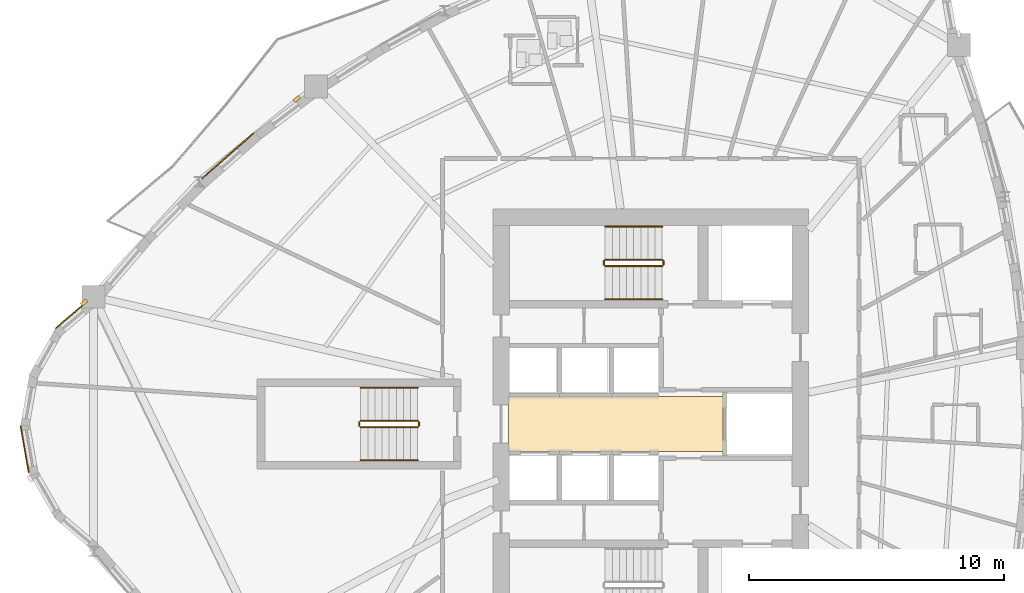
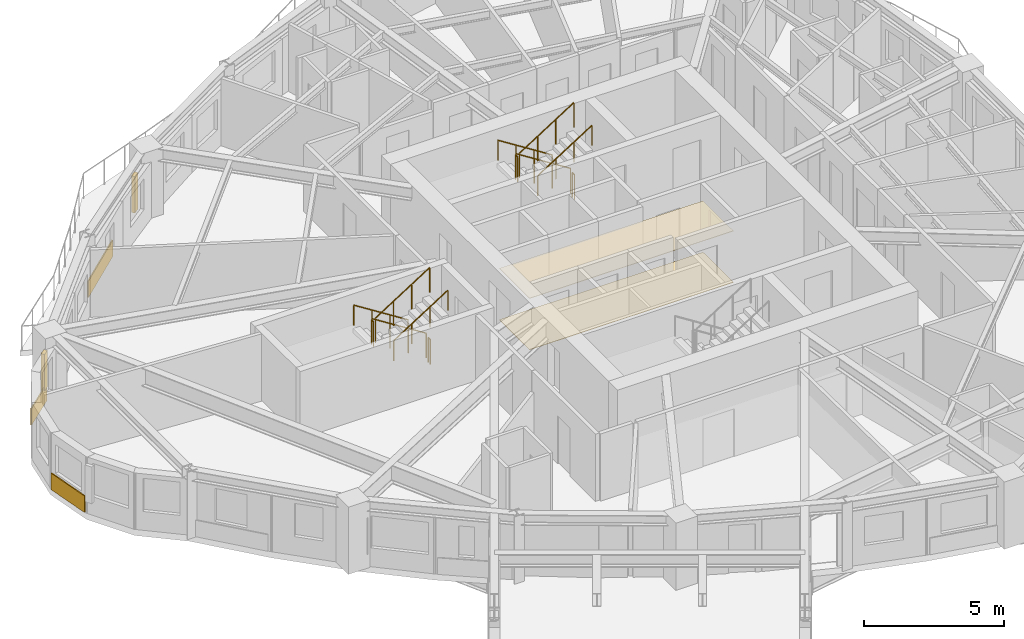
# One storey, part 15 of 17: 12 railings, 5 coverings, 2 shading devices.
"""IFC4 building model written with IfcOpenShell, lengths in metres."""

from ifc_helpers import new_model, si_unit, direction, frame, origin, origin_2d, place, context, subcontext, project, spatial, polyline, rectangle, circle, outline, extrude, source, transform, mapped, material, layer, layer_set, type_object, element, save


model = new_model("IFC4")

# Units and contexts
model_context = context("Model", 3, precision=1e-05, world=origin(), true_north=direction((0.0, 1.0)))
body_context = subcontext(model_context, "Body", "Model", "MODEL_VIEW")
ifc_project = project(units=[si_unit("LENGTHUNIT", "METRE"), si_unit("AREAUNIT", "SQUARE_METRE"), si_unit("VOLUMEUNIT", "CUBIC_METRE"), si_unit("PLANEANGLEUNIT", "RADIAN"), si_unit("MASSUNIT", "GRAM", prefix="KILO")], contexts=[model_context])

# Site, building, storey
site_placement = place(None, origin())
site = spatial("IfcSite", under=ifc_project, at=site_placement, CompositionType="ELEMENT")
building_placement = place(site_placement, origin())
building = spatial("IfcBuilding", under=site, at=building_placement, Name="Qafzar Sky-Pleat Residences", CompositionType="ELEMENT")
storey_placement = place(building_placement, frame((0.0, 0.0, 108.800048828125)))
storey = spatial("IfcBuildingStorey", under=building, at=storey_placement, Name="L32", CompositionType="ELEMENT", Elevation=108.800048828125)

# Coverings
ifc_material_1 = material(Name="Perforated acoustic gypsum board ceiling")
ifc_layer_1 = layer(ifc_material_1, 0.02001953125)
ifc_layer_set_1 = layer_set([ifc_layer_1], Name="Perforated acoustic gypsum board ceiling")
covering_type_1 = type_object("IfcCoveringType", Name="COV-CEIL-ACOUSTIC", PredefinedType="CEILING", material=ifc_layer_set_1)
covering_1_placement = place(storey_placement, frame((0.0, 0.0, 2.239990234375)))
element("IfcCovering", 1, at=covering_1_placement, inside=storey, type_object=covering_type_1, Name="L32 Passenger Lift Lobby Acoustic Ceiling", PredefinedType="CEILING", context=body_context, shape_type="SweptSolid", body=[
    extrude(outline(polyline([(33.179931640625, 24.919921875), (24.77001953125, 24.919921875), (24.77001953125, 27.080078125), (33.179931640625, 27.080078125), (33.179931640625, 24.919921875)])), origin(), (0.0, 0.0, 1.0), 0.02001953125),
])
ifc_material_2 = material(Name="Honed porcelain and Riyadh stone tile flooring", Category="masonry")
ifc_layer_2 = layer(ifc_material_2, 0.02001953125)
ifc_layer_set_2 = layer_set([ifc_layer_2], Name="Honed porcelain and Riyadh stone tile flooring")
covering_type_2 = type_object("IfcCoveringType", Name="COV-FLR-PORCELAIN", PredefinedType="FLOORING", material=ifc_layer_set_2)
covering_2_placement = place(storey_placement, origin())
element("IfcCovering", 2, at=covering_2_placement, inside=storey, type_object=covering_type_2, Name="L32 Passenger Lift Lobby Honed Stone Flooring", PredefinedType="FLOORING", context=body_context, shape_type="SweptSolid", body=[
    extrude(outline(polyline([(33.179931640625, 24.919921875), (24.77001953125, 24.919921875), (24.77001953125, 27.080078125), (33.179931640625, 27.080078125), (33.179931640625, 24.919921875)])), origin(), (0.0, 0.0, 1.0), 0.02001953125),
])

# Shading devices
ifc_material_3 = material(Name="Honed Riyadh limestone solar fin", Category="masonry")
ifc_layer_3 = layer(ifc_material_3, 0.139892578125)
ifc_layer_set_3 = layer_set([ifc_layer_3], Name="Honed Riyadh limestone solar fin")
shading_device_type = type_object("IfcShadingDeviceType", Name="SHD-FIN-STONE", PredefinedType="SHUTTER", material=ifc_layer_set_3)
shared_shape_1 = source(origin(), body_context, "Body", "SweptSolid", [
    extrude(rectangle(XDim=0.139892578125, YDim=0.280029296875, at=origin_2d()), origin(), (0.0, 0.0, 1.0), 1.60009765625),
])
for number, where, z_axis, x_axis, name in (
    (3, (8.1103515625, 30.771728515625, 0.599853515625), (0.0, 0.0, 1.0), (-0.648602943999, 0.761126941473, 0.0), "L32 Limestone Solar Fin 1"),
    (4, (16.45361328125, 38.758544921875, 0.599853515625), (0.0, 0.0, 1.0), (-0.60217974117, 0.798360544694, 0.0), "L32 Limestone Solar Fin 45"),
):
    element("IfcShadingDevice", number, at=place(storey_placement, frame(where, z_axis=z_axis, x_axis=x_axis)), inside=storey, type_object=shading_device_type, Name=name, PredefinedType="SHUTTER", context=body_context, shape_type="MappedRepresentation", body=[
        mapped(shared_shape_1, transform((0.0, 0.0, 0.0), x_axis=(1.0, 0.0, 0.0), y_axis=(0.0, 1.0, 0.0), z_axis=(0.0, 0.0, 1.0), scale=1.0)),
    ])

# Coverings
ifc_material_4 = material(Name="Honed Riyadh Tuwaiq limestone cladding", Category="masonry")
ifc_layer_4 = layer(ifc_material_4, 0.044921875)
ifc_layer_set_4 = layer_set([ifc_layer_4], Name="Honed Riyadh Tuwaiq limestone cladding")
covering_type_3 = type_object("IfcCoveringType", Name="COV-CLAD-STONE", PredefinedType="CLADDING", material=ifc_layer_set_4)
shared_shape_2 = source(origin(), body_context, "Body", "SweptSolid", [
    extrude(rectangle(XDim=1.62451171875, YDim=0.044921875, at=origin_2d()), origin(), (0.0, 0.0, 1.0), 0.719970703125),
])
covering_3_placement = place(storey_placement, frame((7.597900390625, 30.278564453125, 0.02001953125), z_axis=(0.0, 0.0, 1.0), x_axis=(-0.761154082005, -0.648571093595, 0.0)))
element("IfcCovering", 5, at=covering_3_placement, inside=storey, type_object=covering_type_3, Name="L32 Riyadh Limestone Spandrel Cladding 1", PredefinedType="CLADDING", context=body_context, shape_type="MappedRepresentation", body=[
    mapped(shared_shape_2, transform((0.0, 0.0, 0.0), x_axis=(1.0, 0.0, 0.0), y_axis=(0.0, 1.0, 0.0), z_axis=(0.0, 0.0, 1.0), scale=1.0)),
])
shared_shape_3 = source(origin(), body_context, "Body", "SweptSolid", [
    extrude(rectangle(XDim=1.865478515625, YDim=0.044921875, at=origin_2d()), origin(), (0.0, 0.0, 1.0), 0.719970703125),
])
covering_4_placement = place(storey_placement, frame((5.77001953125, 25.0126953125, 0.02001953125), z_axis=(0.0, 0.0, 1.0), x_axis=(0.172122886012, -0.985075485489, 0.0)))
element("IfcCovering", 6, at=covering_4_placement, inside=storey, type_object=covering_type_3, Name="L32 Riyadh Limestone Spandrel Cladding 4", PredefinedType="CLADDING", context=body_context, shape_type="MappedRepresentation", body=[
    mapped(shared_shape_3, transform((0.0, 0.0, 0.0), x_axis=(1.0, 0.0, 0.0), y_axis=(0.0, 1.0, 0.0), z_axis=(0.0, 0.0, 1.0), scale=1.0)),
])
shared_shape_4 = source(origin(), body_context, "Body", "SweptSolid", [
    extrude(rectangle(XDim=2.699462890625, YDim=0.044921875, at=origin_2d()), origin(), (0.0, 0.0, 1.0), 0.719970703125),
])
covering_5_placement = place(storey_placement, frame((13.7431640625, 36.5244140625, 0.02001953125), z_axis=(0.0, 0.0, 1.0), x_axis=(-0.751462399385, -0.659775918256, 0.0)))
element("IfcCovering", 7, at=covering_5_placement, inside=storey, type_object=covering_type_3, Name="L32 Riyadh Limestone Spandrel Cladding 46", PredefinedType="CLADDING", context=body_context, shape_type="MappedRepresentation", body=[
    mapped(shared_shape_4, transform((0.0, 0.0, 0.0), x_axis=(1.0, 0.0, 0.0), y_axis=(0.0, 1.0, 0.0), z_axis=(0.0, 0.0, 1.0), scale=1.0)),
])

# Railings
ifc_material_5 = material(Name="Painted Steel S355 stair guardrail", Category="steel")
railing_type_1 = type_object("IfcRailingType", Name="RAIL-STAIR-GUARD", PredefinedType="GUARDRAIL", material=ifc_material_5)
shared_shape_5 = source(origin(), body_context, "Body", "SweptSolid", [
    extrude(circle(Radius=0.02392578125, at=origin_2d()), frame((0.0, 0.0, 1.076171875), z_axis=(0.0, -1.0, 0.0), x_axis=(1.0, 0.0, 0.0)), (0.0, 0.0, 1.0), 0.14990234375),
    extrude(circle(Radius=0.02099609375, at=origin_2d()), origin(), (0.0, 0.0, 1.0), 1.052001953125),
    extrude(circle(Radius=0.02099609375, at=origin_2d()), frame((0.0, -0.14990234375, 0.0)), (0.0, 0.0, 1.0), 1.052001953125),
])
for number, where, name in (
    (8, (28.510009765625, 32.39990234375, 1.599853515625), "L32 ST2 stair guard 2"),
    (9, (30.85009765625, 32.39990234375, 0.0), "L32 ST2 stair guard 4"),
    (10, (18.909912109375, 26.074951171875, 1.599853515625), "L32 ST3 stair guard 2"),
    (11, (21.25, 26.074951171875, 0.0), "L32 ST3 stair guard 4"),
):
    element("IfcRailing", number, at=place(storey_placement, frame(where)), inside=storey, type_object=railing_type_1, Name=name, PredefinedType="GUARDRAIL", context=body_context, shape_type="MappedRepresentation", body=[
        mapped(shared_shape_5, transform((0.0, 0.0, 0.0), x_axis=(1.0, 0.0, 0.0), y_axis=(0.0, 1.0, 0.0), z_axis=(0.0, 0.0, 1.0), scale=1.0)),
    ])
shared_shape_6 = source(origin(), body_context, "Body", "SweptSolid", [
    extrude(circle(Radius=0.02392578125, at=origin_2d()), frame((0.0, 0.0, 1.076171875), z_axis=(-0.8442293374, 0.0, 0.53598211339), x_axis=(0.0, -1.0, 0.0)), (0.0, 0.0, 1.0), 2.6533203125),
    extrude(circle(Radius=0.02099609375, at=origin_2d()), origin(), (0.0, 0.0, 1.0), 1.052001953125),
    extrude(circle(Radius=0.02099609375, at=origin_2d()), frame((-0.74658203125, 0.0, 0.47412109375)), (0.0, 0.0, 1.0), 1.052001953125),
    extrude(circle(Radius=0.02099609375, at=origin_2d()), frame((-1.493408203125, 0.0, 0.947998046875)), (0.0, 0.0, 1.0), 1.052001953125),
    extrude(circle(Radius=0.02099609375, at=origin_2d()), frame((-2.239990234375, 0.0, 1.422119140625)), (0.0, 0.0, 1.0), 1.052001953125),
])
for number, where, name in (
    (12, (30.800048828125, 32.449951171875, 0.177734375), "L32 ST2 stair guard 1"),
    (13, (21.199951171875, 26.125, 0.177734375), "L32 ST3 stair guard 1"),
):
    element("IfcRailing", number, at=place(storey_placement, frame(where)), inside=storey, type_object=railing_type_1, Name=name, PredefinedType="GUARDRAIL", context=body_context, shape_type="MappedRepresentation", body=[
        mapped(shared_shape_6, transform((0.0, 0.0, 0.0), x_axis=(1.0, 0.0, 0.0), y_axis=(0.0, 1.0, 0.0), z_axis=(0.0, 0.0, 1.0), scale=1.0)),
    ])
shared_shape_7 = source(origin(), body_context, "Body", "SweptSolid", [
    extrude(circle(Radius=0.02392578125, at=origin_2d()), frame((0.0, 0.0, 1.076171875), z_axis=(0.8442293374, 0.0, 0.53598211339), x_axis=(0.0, 1.0, 0.0)), (0.0, 0.0, 1.0), 2.6533203125),
    extrude(circle(Radius=0.02099609375, at=origin_2d()), origin(), (0.0, 0.0, 1.0), 1.052001953125),
    extrude(circle(Radius=0.02099609375, at=origin_2d()), frame((0.74658203125, 0.0, 0.47412109375)), (0.0, 0.0, 1.0), 1.052001953125),
    extrude(circle(Radius=0.02099609375, at=origin_2d()), frame((1.493408203125, 0.0, 0.947998046875)), (0.0, 0.0, 1.0), 1.052001953125),
    extrude(circle(Radius=0.02099609375, at=origin_2d()), frame((2.239990234375, 0.0, 1.422119140625)), (0.0, 0.0, 1.0), 1.052001953125),
])
for number, where, name in (
    (14, (28.56005859375, 32.199951171875, 1.77783203125), "L32 ST2 stair guard 3"),
    (15, (18.9599609375, 25.875, 1.77783203125), "L32 ST3 stair guard 3"),
):
    element("IfcRailing", number, at=place(storey_placement, frame(where)), inside=storey, type_object=railing_type_1, Name=name, PredefinedType="GUARDRAIL", context=body_context, shape_type="MappedRepresentation", body=[
        mapped(shared_shape_7, transform((0.0, 0.0, 0.0), x_axis=(1.0, 0.0, 0.0), y_axis=(0.0, 1.0, 0.0), z_axis=(0.0, 0.0, 1.0), scale=1.0)),
    ])
ifc_material_6 = material(Name="Brushed stainless steel handrail", Category="steel")
railing_type_2 = type_object("IfcRailingType", Name="RAIL-STAIR-HAND", PredefinedType="HANDRAIL", material=ifc_material_6)
shared_shape_8 = source(origin(), body_context, "Body", "SweptSolid", [
    extrude(circle(Radius=0.02392578125, at=origin_2d()), frame((0.0, 0.0, 0.8759765625), z_axis=(-0.8442293374, 0.0, 0.53598211339), x_axis=(0.0, -1.0, 0.0)), (0.0, 0.0, 1.0), 2.6533203125),
    extrude(circle(Radius=0.02099609375, at=origin_2d()), origin(), (0.0, 0.0, 1.0), 0.851806640625),
    extrude(circle(Radius=0.02099609375, at=origin_2d()), frame((-0.74658203125, 0.0, 0.47412109375)), (0.0, 0.0, 1.0), 0.851806640625),
    extrude(circle(Radius=0.02099609375, at=origin_2d()), frame((-1.493408203125, 0.0, 0.947998046875)), (0.0, 0.0, 1.0), 0.851806640625),
    extrude(circle(Radius=0.02099609375, at=origin_2d()), frame((-2.239990234375, 0.0, 1.422119140625)), (0.0, 0.0, 1.0), 0.851806640625),
])
for number, where, name in (
    (16, (30.800048828125, 33.75, 0.177734375), "L32 ST2 stair handrail 1"),
    (17, (21.199951171875, 27.425048828125, 0.177734375), "L32 ST3 stair handrail 1"),
):
    element("IfcRailing", number, at=place(storey_placement, frame(where)), inside=storey, type_object=railing_type_2, Name=name, PredefinedType="HANDRAIL", context=body_context, shape_type="MappedRepresentation", body=[
        mapped(shared_shape_8, transform((0.0, 0.0, 0.0), x_axis=(1.0, 0.0, 0.0), y_axis=(0.0, 1.0, 0.0), z_axis=(0.0, 0.0, 1.0), scale=1.0)),
    ])
shared_shape_9 = source(origin(), body_context, "Body", "SweptSolid", [
    extrude(circle(Radius=0.02392578125, at=origin_2d()), frame((0.0, 0.0, 0.8759765625), z_axis=(0.8442293374, 0.0, 0.53598211339), x_axis=(0.0, 1.0, 0.0)), (0.0, 0.0, 1.0), 2.6533203125),
    extrude(circle(Radius=0.02099609375, at=origin_2d()), origin(), (0.0, 0.0, 1.0), 0.851806640625),
    extrude(circle(Radius=0.02099609375, at=origin_2d()), frame((0.74658203125, 0.0, 0.47412109375)), (0.0, 0.0, 1.0), 0.851806640625),
    extrude(circle(Radius=0.02099609375, at=origin_2d()), frame((1.493408203125, 0.0, 0.947998046875)), (0.0, 0.0, 1.0), 0.851806640625),
    extrude(circle(Radius=0.02099609375, at=origin_2d()), frame((2.239990234375, 0.0, 1.422119140625)), (0.0, 0.0, 1.0), 0.851806640625),
])
for number, where, name in (
    (18, (28.56005859375, 30.89990234375, 1.77783203125), "L32 ST2 stair handrail 2"),
    (19, (18.9599609375, 24.574951171875, 1.77783203125), "L32 ST3 stair handrail 2"),
):
    element("IfcRailing", number, at=place(storey_placement, frame(where)), inside=storey, type_object=railing_type_2, Name=name, PredefinedType="HANDRAIL", context=body_context, shape_type="MappedRepresentation", body=[
        mapped(shared_shape_9, transform((0.0, 0.0, 0.0), x_axis=(1.0, 0.0, 0.0), y_axis=(0.0, 1.0, 0.0), z_axis=(0.0, 0.0, 1.0), scale=1.0)),
    ])

save(model, "model.ifc")
